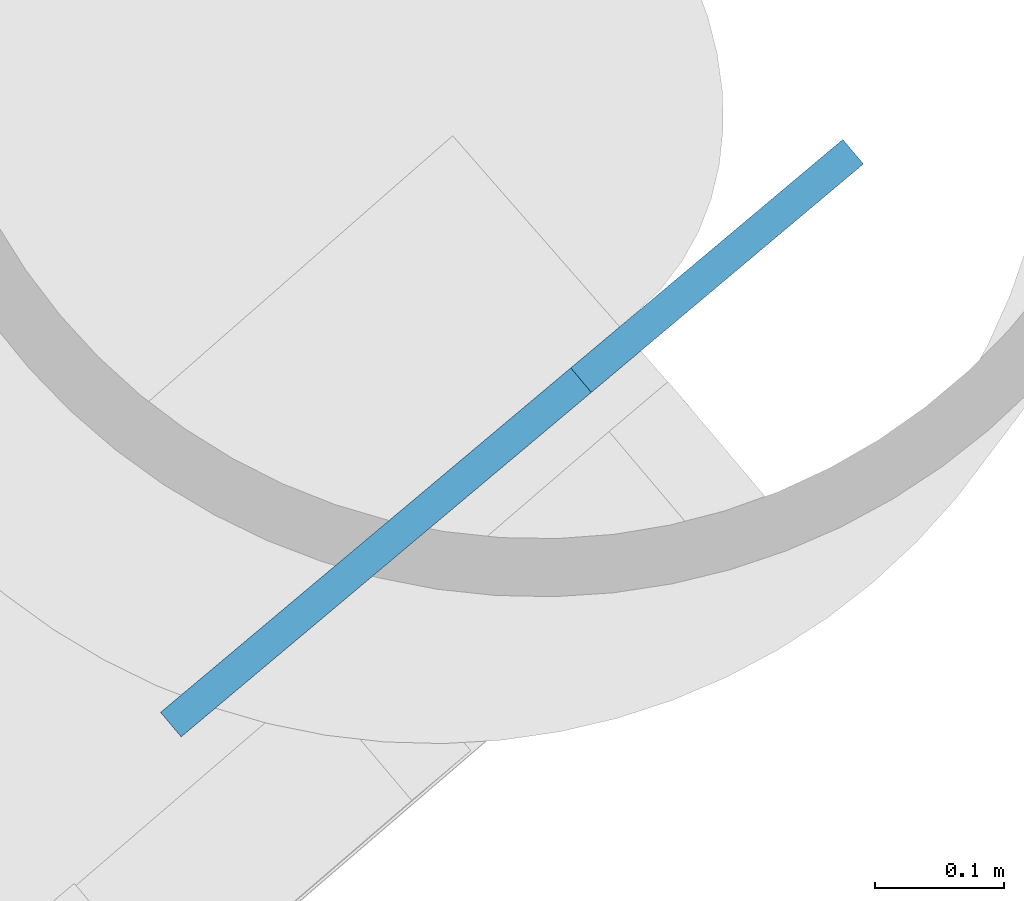
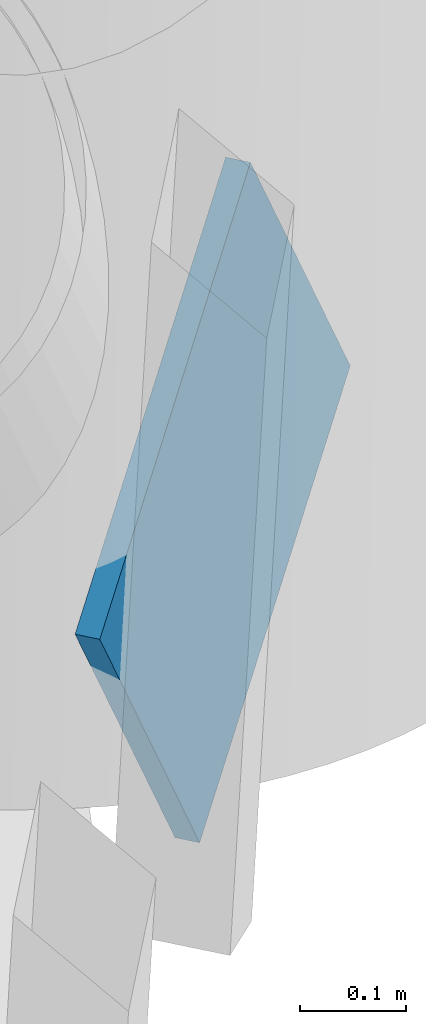
# One storey, part 14 of 24: 1 discrete accessory.
"""IFC4 building model written with IfcOpenShell, lengths in metres."""

from ifc_helpers import new_model, si_unit, direction, frame, origin, origin_2d, place, context, subcontext, project, spatial, rectangle, extrude, material, material_profile, profile_set, type_object, element, save


model = new_model("IFC4")

# Units and contexts
model_context = context("Model", 3, precision=1e-05, world=origin(), true_north=direction((0.0, 1.0)))
body_context = subcontext(model_context, "Body", "Model", "MODEL_VIEW")
ifc_project = project(units=[si_unit("LENGTHUNIT", "METRE"), si_unit("AREAUNIT", "SQUARE_METRE"), si_unit("VOLUMEUNIT", "CUBIC_METRE"), si_unit("PLANEANGLEUNIT", "RADIAN"), si_unit("MASSUNIT", "GRAM", prefix="KILO")], contexts=[model_context])

# Site, building, storey
site_placement = place(None, origin())
site = spatial("IfcSite", under=ifc_project, at=site_placement, CompositionType="ELEMENT")
building_placement = place(site_placement, origin())
building = spatial("IfcBuilding", under=site, at=building_placement, Name="Tarsis Ring Headquarters", CompositionType="ELEMENT")
storey_placement = place(building_placement, frame((0.0, 0.0, 216.0)))
storey = spatial("IfcBuildingStorey", under=building, at=storey_placement, Name="L50", CompositionType="ELEMENT", Elevation=216.0)

# Discrete accessory
ifc_material = material(Name="Structural steel S355", Category="steel")
ifc_material_profile = material_profile(ifc_material, rectangle(XDim=0.02490234375, YDim=0.5, at=origin_2d()), Name="PL 25x500")
ifc_profile_set = profile_set([ifc_material_profile], Name="Structural steel S355")
discrete_accessory_type = type_object("IfcDiscreteAccessoryType", Name="Gusset plate Exo brace 25", PredefinedType="BRACKET", material=ifc_profile_set)
discrete_accessory_placement = place(storey_placement, frame((23.177734375, -17.93896484375, 0.0), z_axis=(-0.423278389495, -0.355417148273, 0.83337509904), x_axis=(0.643047066801, -0.765826657853, 0.0)))
element("IfcDiscreteAccessory", 1, at=discrete_accessory_placement, inside=storey, type_object=discrete_accessory_type, Name="Gusset plate GP5", PredefinedType="BRACKET", context=body_context, shape_type="SweptSolid", body=[
    extrude(rectangle(XDim=0.02490234375, YDim=0.5, at=origin_2d()), origin(), (0.0, 0.0, 1.0), 0.5),
])

save(model, "model.ifc")
